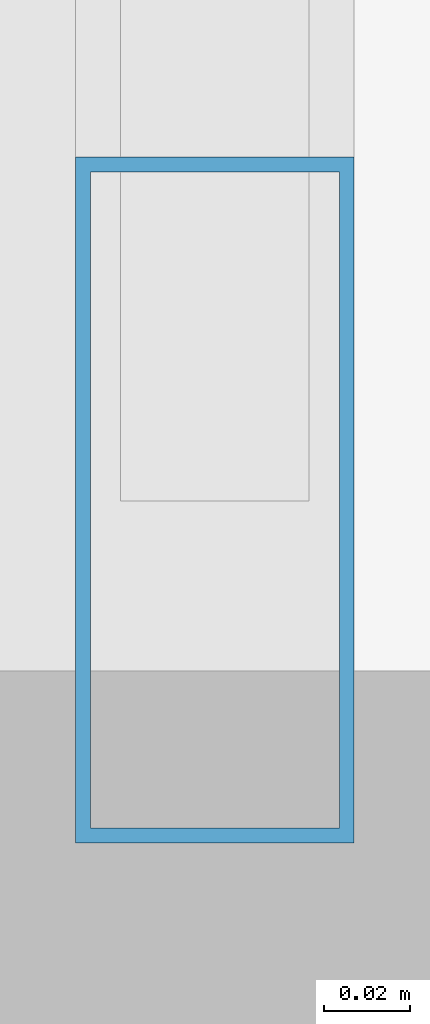
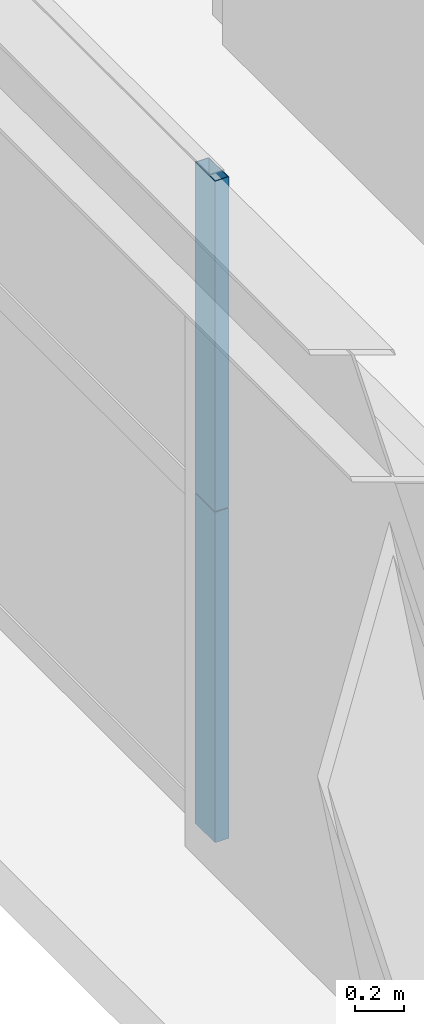
# One storey, part 7 of 37: 2 members, 1 element without a shape of its own.
"""IFC4 building model written with IfcOpenShell, lengths in metres."""

from ifc_helpers import new_model, si_unit, direction, frame, origin, origin_2d, place, context, subcontext, project, spatial, hollow_rectangle, extrude, source, transform, mapped, material, layer, layer_set, material_profile, profile_set, type_object, element, aggregate, save


model = new_model("IFC4")

# Units and contexts
model_context = context("Model", 3, precision=1e-05, world=origin(), true_north=direction((0.0, 1.0)))
body_context = subcontext(model_context, "Body", "Model", "MODEL_VIEW")
ifc_project = project(units=[si_unit("LENGTHUNIT", "METRE"), si_unit("AREAUNIT", "SQUARE_METRE"), si_unit("VOLUMEUNIT", "CUBIC_METRE"), si_unit("PLANEANGLEUNIT", "RADIAN"), si_unit("MASSUNIT", "GRAM", prefix="KILO"), si_unit("THERMODYNAMICTEMPERATUREUNIT", "KELVIN"), si_unit("POWERUNIT", "WATT")], contexts=[model_context])

# Site, building, storey
site_placement = place(None, origin())
site = spatial("IfcSite", under=ifc_project, at=site_placement, CompositionType="ELEMENT")
building_placement = place(site_placement, origin())
building = spatial("IfcBuilding", under=site, at=building_placement, Name="Yuzanri Waterfront Tower", CompositionType="ELEMENT")
storey_placement = place(building_placement, frame((0.0, 0.0, 278.60009765625)))
storey = spatial("IfcBuildingStorey", under=building, at=storey_placement, Name="L74", CompositionType="ELEMENT", Elevation=278.60009765625)

# Curtain wall, members
ifc_material_1 = material(Name="Anodized Architectural Bronze", Category="metal")
ifc_layer = layer(ifc_material_1, 0.159912109375)
ifc_layer_set = layer_set([ifc_layer], Name="Anodized Architectural Bronze")
curtain_wall_type = type_object("IfcCurtainWallType", Name="Anodized Bronze Mid-Rise Residential Acoustic Unitized Curtain Wall 7200", PredefinedType="NOTDEFINED", material=ifc_layer_set)
curtain_wall_placement = place(storey_placement, origin())
curtain_wall = element("IfcCurtainWall", 1, at=curtain_wall_placement, inside=storey, type_object=curtain_wall_type, Name="L74 Curtain Wall CW-L74-WL", PredefinedType="NOTDEFINED")
ifc_material_2 = material(Name="Anodized Architectural Bronze", Category="metal")
ifc_material_profile = material_profile(ifc_material_2, hollow_rectangle(XDim=0.06494140625, YDim=0.159912109375, WallThickness=0.00341796875, at=origin_2d()), Name="CWM 65x160")
ifc_profile_set = profile_set([ifc_material_profile], Name="Anodized Architectural Bronze")
member_type = type_object("IfcMemberType", Name="Anodized Bronze Upper-Zone Curtain-Wall Mullion 65x160", PredefinedType="MULLION", material=ifc_profile_set)
shared_shape = source(origin(), body_context, "Body", "SweptSolid", [
    extrude(hollow_rectangle(XDim=0.06494140625, YDim=0.159912109375, WallThickness=0.00341796875, at=origin_2d()), origin(), (0.0, 0.0, 1.0), 1.637939453125),
])
member_1_placement = place(storey_placement, frame((16.550048828125, 12.590087890625, 0.0), z_axis=(0.0, 0.0, 1.0), x_axis=(1.0, 0.0, 0.0)))
member_1 = element("IfcMember", 2, at=member_1_placement, type_object=member_type, Name="CW-L74-WL Lower Mullion 00", PredefinedType="MULLION", context=body_context, shape_type="MappedRepresentation", body=[
    mapped(shared_shape, transform((0.0, 0.0, 0.0), scale=1.0)),
])
member_2_placement = place(storey_placement, frame((16.550048828125, 12.590087890625, 1.641845703125), z_axis=(0.0, 0.0, 1.0), x_axis=(1.0, 0.0, 0.0)))
member_2 = element("IfcMember", 3, at=member_2_placement, type_object=member_type, Name="CW-L74-WL Upper Mullion 00", PredefinedType="MULLION", context=body_context, shape_type="MappedRepresentation", body=[
    mapped(shared_shape, transform((0.0, 0.0, 0.0), scale=1.0)),
])
aggregate(curtain_wall, [member_1, member_2])

save(model, "model.ifc")
